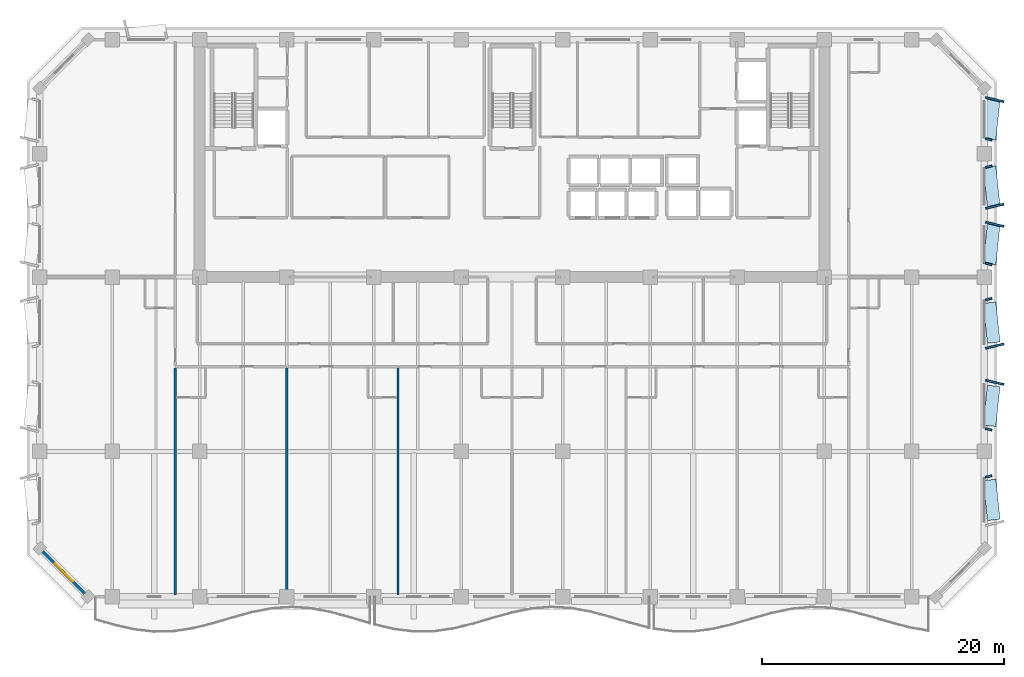
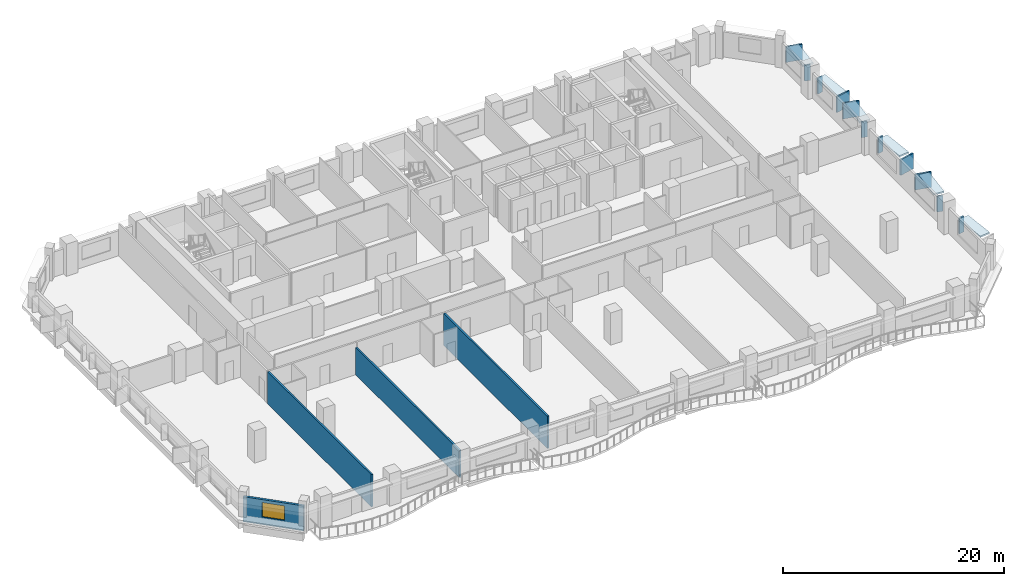
# One storey, part 3 of 14: 17 plates, 4 walls, 1 window, 1 opening.
"""IFC4 building model written with IfcOpenShell, lengths in metres."""

from ifc_helpers import new_model, si_unit, direction, frame, frame_2d, origin, origin_2d, place, context, subcontext, project, spatial, rectangle, extrude, material, layer, layer_set, type_object, element, fill, save


model = new_model("IFC4")

# Units and contexts
model_context = context("Model", 3, precision=1e-05, world=origin(), true_north=direction((0.0, 1.0)))
body_context = subcontext(model_context, "Body", "Model", "MODEL_VIEW")
ifc_project = project(units=[si_unit("LENGTHUNIT", "METRE"), si_unit("AREAUNIT", "SQUARE_METRE"), si_unit("VOLUMEUNIT", "CUBIC_METRE"), si_unit("PLANEANGLEUNIT", "RADIAN"), si_unit("MASSUNIT", "GRAM", prefix="KILO")], contexts=[model_context])

# Site, building, storey
site_placement = place(None, origin())
site = spatial("IfcSite", under=ifc_project, at=site_placement, CompositionType="ELEMENT")
building_placement = place(site_placement, origin())
building = spatial("IfcBuilding", under=site, at=building_placement, Name="Kaelvorn Grand Hotel", CompositionType="ELEMENT")
storey_placement = place(building_placement, frame((0.0, 0.0, 197.75)))
storey = spatial("IfcBuildingStorey", under=building, at=storey_placement, Name="L48", CompositionType="ELEMENT", Elevation=197.75)

# Plates
ifc_material_1 = material(Name="Precast concrete C45/55", Category="concrete")
ifc_layer_1 = layer(ifc_material_1, 0.159912109375)
ifc_layer_set_1 = layer_set([ifc_layer_1], Name="Precast concrete C45/55")
plate_type_1 = type_object("IfcPlateType", Name="PL-FRAME-DEEP-1550", PredefinedType="USERDEFINED", material=ifc_layer_set_1)
for number, where, z_axis, x_axis, name in (
    (1, (81.85498046875, 20.705078125, 0.81494140625), (0.0, 0.0, 1.0), (0.233445363856, 0.972369920398, 0.0), "L48 Tilted Precast Window Frame Fin R-E02"),
    (2, (81.85498046875, 23.695068359375, 0.81494140625), (0.0, 0.0, 1.0), (-0.233445363856, 0.972369920398, 0.0), "L48 Tilted Precast Window Frame Fin L-E03"),
    (3, (81.85498046875, 33.7548828125, 0.740234375), (0.0, 0.0, 1.0), (0.233445363856, 0.972369920398, 0.0), "L48 Tilted Precast Window Frame Fin R-E04"),
    (4, (81.85498046875, 35.2451171875, 0.740234375), (0.0, 0.0, 1.0), (-0.233445363856, 0.972369920398, 0.0), "L48 Tilted Precast Window Frame Fin L-E05"),
    (5, (81.85498046875, 44.054931640625, 0.740234375), (0.0, 0.0, 1.0), (0.233445363856, 0.972369920398, 0.0), "L48 Tilted Precast Window Frame Fin R-E06"),
):
    element("IfcPlate", number, at=place(storey_placement, frame(where, z_axis=z_axis, x_axis=x_axis)), inside=storey, type_object=plate_type_1, Name=name, ObjectType="FLANGE_PLATE", PredefinedType="USERDEFINED", context=body_context, shape_type="SweptSolid", body=[
        extrude(rectangle(XDim=0.159912109375, YDim=1.550048828125, at=origin_2d()), origin(), (0.0, 0.0, 1.0), 1.719970703125),
    ])
ifc_layer_2 = layer(ifc_material_1, 0.159912109375)
ifc_layer_set_2 = layer_set([ifc_layer_2], Name="Precast concrete C45/55")
plate_type_2 = type_object("IfcPlateType", Name="PL-FRAME-HEAD-1050", PredefinedType="USERDEFINED", material=ifc_layer_set_2)
for number, where, z_axis, x_axis, name in (
    (6, (81.60498046875, 11.0, 2.5), (0.0, 0.0, 1.0), (-0.105830199459, 0.994384215926, 0.0), "L48 Precast Window Frame Head Hood H-E01"),
    (7, (81.60498046875, 18.764892578125, 2.5), (0.0, 0.0, 1.0), (0.105830199459, 0.994384215926, 0.0), "L48 Precast Window Frame Head Hood H-E02"),
    (8, (81.60498046875, 25.635009765625, 2.5), (0.0, 0.0, 1.0), (-0.105830199459, 0.994384215926, 0.0), "L48 Precast Window Frame Head Hood H-E03"),
    (9, (81.60498046875, 32.114990234375, 2.35009765625), (0.0, 0.0, 1.0), (0.105830199459, 0.994384215926, 0.0), "L48 Precast Window Frame Head Hood H-E04"),
    (10, (81.60498046875, 36.885009765625, 2.35009765625), (0.0, 0.0, 1.0), (-0.105830199459, 0.994384215926, 0.0), "L48 Precast Window Frame Head Hood H-E05"),
    (11, (81.60498046875, 42.4150390625, 2.35009765625), (0.0, 0.0, 1.0), (0.105830199459, 0.994384215926, 0.0), "L48 Precast Window Frame Head Hood H-E06"),
):
    element("IfcPlate", number, at=place(storey_placement, frame(where, z_axis=z_axis, x_axis=x_axis)), inside=storey, type_object=plate_type_2, Name=name, ObjectType="FLANGE_PLATE", PredefinedType="USERDEFINED", context=body_context, shape_type="SweptSolid", body=[
        extrude(rectangle(XDim=3.320068359375, YDim=1.050048828125, at=origin_2d()), origin(), (0.0, 0.0, 1.0), 0.159912109375),
    ])
ifc_layer_3 = layer(ifc_material_1, 0.159912109375)
ifc_layer_set_3 = layer_set([ifc_layer_3], Name="Precast concrete C45/55")
plate_type_3 = type_object("IfcPlateType", Name="PL-FRAME-SHAL-550", PredefinedType="USERDEFINED", material=ifc_layer_set_3)
for number, where, z_axis, x_axis, name in (
    (12, (81.35498046875, 12.93994140625, 0.81494140625), (0.0, 0.0, 1.0), (-0.233445363856, 0.972369920398, 0.0), "L48 Tilted Precast Window Frame Fin R-E01"),
    (13, (81.35498046875, 16.824951171875, 0.81494140625), (0.0, 0.0, 1.0), (0.233445363856, 0.972369920398, 0.0), "L48 Tilted Precast Window Frame Fin L-E02"),
    (14, (81.35498046875, 27.574951171875, 0.81494140625), (0.0, 0.0, 1.0), (-0.233445363856, 0.972369920398, 0.0), "L48 Tilted Precast Window Frame Fin R-E03"),
    (15, (81.35498046875, 30.47509765625, 0.740234375), (0.0, 0.0, 1.0), (0.233445363856, 0.972369920398, 0.0), "L48 Tilted Precast Window Frame Fin L-E04"),
    (16, (81.35498046875, 38.52490234375, 0.740234375), (0.0, 0.0, 1.0), (-0.233445363856, 0.972369920398, 0.0), "L48 Tilted Precast Window Frame Fin R-E05"),
    (17, (81.35498046875, 40.77490234375, 0.740234375), (0.0, 0.0, 1.0), (0.233445363856, 0.972369920398, 0.0), "L48 Tilted Precast Window Frame Fin L-E06"),
):
    element("IfcPlate", number, at=place(storey_placement, frame(where, z_axis=z_axis, x_axis=x_axis)), inside=storey, type_object=plate_type_3, Name=name, ObjectType="FLANGE_PLATE", PredefinedType="USERDEFINED", context=body_context, shape_type="SweptSolid", body=[
        extrude(rectangle(XDim=0.159912109375, YDim=0.550048828125, at=origin_2d()), origin(), (0.0, 0.0, 1.0), 1.719970703125),
    ])

# Wall, opening, window
ifc_material_2 = material(Name="Concrete C40/50", Category="concrete")
ifc_layer_4 = layer(ifc_material_2, 0.239990234375)
ifc_layer_set_4 = layer_set([ifc_layer_4], Name="Concrete C40/50")
wall_type_1 = type_object("IfcWallType", Name="WL-EXT-240-C40", PredefinedType="SOLIDWALL", material=ifc_layer_set_4)
wall_1_placement = place(storey_placement, frame((3.0, 7.0, 0.0), z_axis=(0.0, 0.0, 1.0), x_axis=(0.707106781187, -0.707106781187, 0.0)))
wall_1 = element("IfcWall", 18, at=wall_1_placement, inside=storey, type_object=wall_type_1, Name="L48 Exterior Architectural Concrete Wall 08", PredefinedType="SOLIDWALL", context=body_context, shape_type="SweptSolid", body=[
    extrude(rectangle(XDim=5.65673828125, YDim=0.239990234375, at=frame_2d((2.828369140625, 0.0))), origin(), (0.0, 0.0, 1.0), 2.760009765625),
])
opening_placement = place(wall_1_placement, frame((1.7783203125, 0.0, 0.85009765625)))
opening = element("IfcOpeningElement", 19, at=opening_placement, cuts=wall_1, Name="Opening W7", PredefinedType="OPENING", context=body_context, shape_type="SweptSolid", body=[
    extrude(rectangle(XDim=2.10009765625, YDim=1.60009765625, at=frame_2d((1.050048828125, 0.800048828125))), frame((0.0, 0.1298828125, 0.0), z_axis=(0.0, -1.0, 0.0), x_axis=(1.0, 0.0, 0.0)), (0.0, 0.0, 1.0), 0.260009765625),
])
ifc_material_3 = material(Name="Laminated Low-E Glass", Category="glass")
window_type = type_object("IfcWindowType", Name="WIN-CHM-2100x1600", PartitioningType="SINGLE_PANEL", PredefinedType="WINDOW", material=ifc_material_3)
window_placement = place(opening_placement, origin())
window = element("IfcWindow", 20, at=window_placement, inside=storey, type_object=window_type, Name="L48 Chamfered 45-Degree Corner Window SW", OverallHeight=1.60009765625, OverallWidth=2.10009765625, PartitioningType="SINGLE_PANEL", PredefinedType="WINDOW", context=body_context, shape_type="SweptSolid", body=[
    extrude(rectangle(XDim=2.10009765625, YDim=1.60009765625, at=frame_2d((1.050048828125, 0.800048828125))), frame((0.0, 0.030029296875, 0.0), z_axis=(0.0, -1.0, 0.0), x_axis=(1.0, 0.0, 0.0)), (0.0, 0.0, 1.0), 0.06005859375),
])
fill(opening, window)

# Walls
ifc_material_4 = material(Name="Acoustic Gypsum & Stud Partition")
ifc_layer_5 = layer(ifc_material_4, 0.179931640625)
ifc_layer_set_5 = layer_set([ifc_layer_5], Name="Acoustic Gypsum & Stud Partition")
wall_type_2 = type_object("IfcWallType", Name="WL-PART-180-EI60", PredefinedType="PARTITIONING", material=ifc_layer_set_5)
wall_2_placement = place(storey_placement, frame((14.199951171875, 3.14990234375, 0.0), z_axis=(0.0, 0.0, 1.0), x_axis=(0.0, 1.0, 0.0)))
element("IfcWall", 21, at=wall_2_placement, inside=storey, type_object=wall_type_2, Name="L48 Mid-Rise Signature Suite L48-01 W Partition", PredefinedType="PARTITIONING", context=body_context, shape_type="SweptSolid", body=[
    extrude(rectangle(XDim=18.755126953125, YDim=0.179931640625, at=frame_2d((9.37744140625, 0.0))), origin(), (0.0, 0.0, 1.0), 3.56005859375),
])
wall_3_placement = place(storey_placement, frame((23.3955078125, 3.14990234375, 0.0), z_axis=(0.0, 0.0, 1.0), x_axis=(0.0, 1.0, 0.0)))
element("IfcWall", 22, at=wall_3_placement, inside=storey, type_object=wall_type_2, Name="L48 Mid-Rise Signature Suite L48-01 E Partition", PredefinedType="PARTITIONING", context=body_context, shape_type="SweptSolid", body=[
    extrude(rectangle(XDim=18.755126953125, YDim=0.179931640625, at=frame_2d((9.37744140625, 0.0))), origin(), (0.0, 0.0, 1.0), 3.010009765625),
])
wall_4_placement = place(storey_placement, frame((32.5908203125, 3.14990234375, 0.0), z_axis=(0.0, 0.0, 1.0), x_axis=(0.0, 1.0, 0.0)))
element("IfcWall", 23, at=wall_4_placement, inside=storey, type_object=wall_type_2, Name="L48 Mid-Rise Signature Suite L48-02 E Partition", PredefinedType="PARTITIONING", context=body_context, shape_type="SweptSolid", body=[
    extrude(rectangle(XDim=18.755126953125, YDim=0.179931640625, at=frame_2d((9.37744140625, 0.0))), origin(), (0.0, 0.0, 1.0), 3.56005859375),
])

save(model, "model.ifc")
